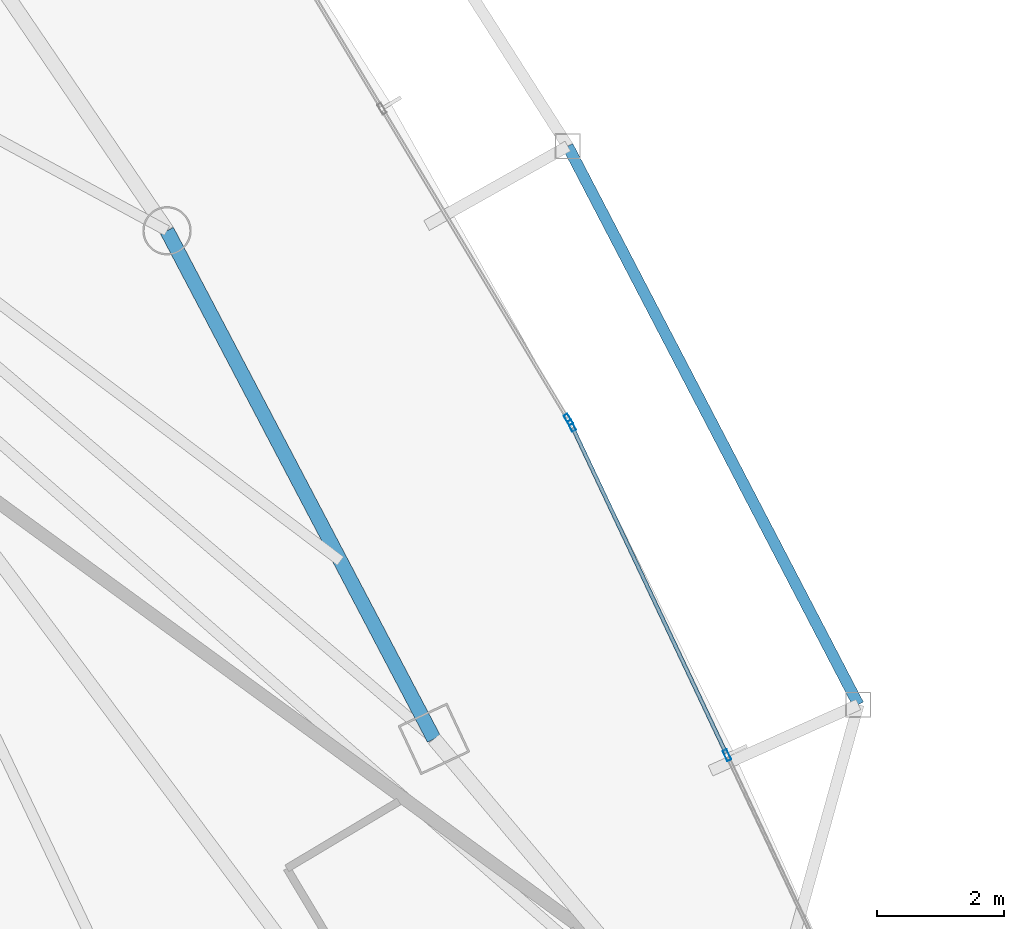
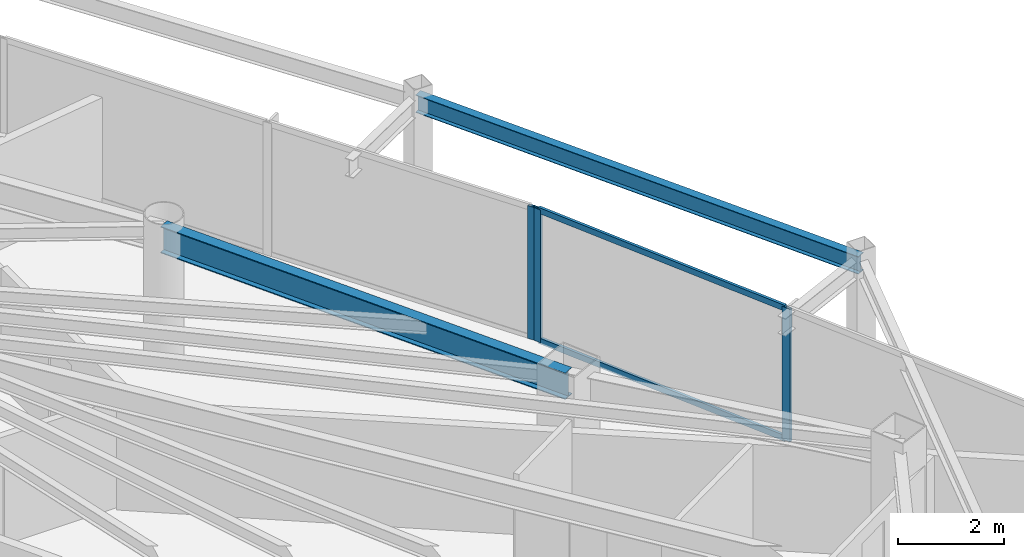
# One storey, part 16 of 33: 5 members, 2 beams, 2 elements without a shape of their own.
"""IFC4 building model written with IfcOpenShell, lengths in metres."""

from ifc_helpers import new_model, si_unit, direction, frame, origin, origin_2d, place, context, subcontext, project, spatial, hollow_rectangle, i_section, extrude, material, layer, layer_set, material_profile, profile_set, type_object, element, aggregate, save


model = new_model("IFC4")

# Units and contexts
model_context = context("Model", 3, precision=1e-05, world=origin(), true_north=direction((0.0, 1.0)))
body_context = subcontext(model_context, "Body", "Model", "MODEL_VIEW")
ifc_project = project(units=[si_unit("LENGTHUNIT", "METRE"), si_unit("AREAUNIT", "SQUARE_METRE"), si_unit("VOLUMEUNIT", "CUBIC_METRE"), si_unit("PLANEANGLEUNIT", "RADIAN"), si_unit("MASSUNIT", "GRAM", prefix="KILO")], contexts=[model_context])

# Site, building, storey
site_placement = place(None, origin())
site = spatial("IfcSite", under=ifc_project, at=site_placement, CompositionType="ELEMENT")
building_placement = place(site_placement, origin())
building = spatial("IfcBuilding", under=site, at=building_placement, Name="Orvanel Arch Residences", CompositionType="ELEMENT")
storey_placement = place(building_placement, frame((0.0, 0.0, 116.60009765625)))
storey = spatial("IfcBuildingStorey", under=building, at=storey_placement, Name="L32", CompositionType="ELEMENT", Elevation=116.60009765625)

# Curtain wall, members
ifc_material_1 = material(Name="Bronze-anodised aluminium AA6063-T6", Category="aluminium")
ifc_layer = layer(ifc_material_1, 0.179931640625)
ifc_layer_set = layer_set([ifc_layer], Name="Bronze-anodised aluminium AA6063-T6")
curtain_wall_type = type_object("IfcCurtainWallType", Name="CW3-MID-SYS", PredefinedType="NOTDEFINED", material=ifc_layer_set)
curtain_wall_1_placement = place(storey_placement, origin())
curtain_wall_1 = element("IfcCurtainWall", 1, at=curtain_wall_1_placement, inside=storey, type_object=curtain_wall_type, Name="L32 CW3-MID-SYS Unitised Curtain Wall", PredefinedType="NOTDEFINED")
ifc_material_profile_1 = material_profile(ifc_material_1, hollow_rectangle(XDim=0.070068359375, YDim=0.179931640625, WallThickness=0.00439453125, at=origin_2d()), Name="ALU180x70x4.5")
ifc_profile_set_1 = profile_set([ifc_material_profile_1], Name="Bronze-anodised aluminium AA6063-T6")
member_type_1 = type_object("IfcMemberType", Name="MUL-180x70", PredefinedType="MULLION", material=ifc_profile_set_1)
member_1_placement = place(storey_placement, frame((54.24609375, 19.385009765625, 0.0), z_axis=(0.0, 0.0, 1.0), x_axis=(-0.904551426474, -0.426364535184, 0.0)))
member_1 = element("IfcMember", 2, at=member_1_placement, type_object=member_type_1, Name="CW-S3 mullion 2", PredefinedType="MULLION", context=body_context, shape_type="SweptSolid", body=[
    extrude(hollow_rectangle(XDim=0.070068359375, YDim=0.179931640625, WallThickness=0.00439453125, at=origin_2d()), origin(), (0.0, 0.0, 1.0), 3.059814453125),
])
member_2_placement = place(storey_placement, frame((51.801025390625, 24.572265625, 0.0), z_axis=(0.0, 0.0, 1.0), x_axis=(-0.904551426474, -0.426364535184, 0.0)))
member_2 = element("IfcMember", 3, at=member_2_placement, type_object=member_type_1, Name="CW-S3 mullion 3", PredefinedType="MULLION", context=body_context, shape_type="SweptSolid", body=[
    extrude(hollow_rectangle(XDim=0.070068359375, YDim=0.179931640625, WallThickness=0.00439453125, at=origin_2d()), origin(), (0.0, 0.0, 1.0), 3.059814453125),
])

# Curtain wall, member
curtain_wall_2_placement = place(storey_placement, origin())
curtain_wall_2 = element("IfcCurtainWall", 4, at=curtain_wall_2_placement, inside=storey, type_object=curtain_wall_type, Name="L32 CW3-MID-SYS Unitised Curtain Wall", PredefinedType="NOTDEFINED")
member_3_placement = place(storey_placement, frame((51.7490234375, 24.6689453125, 0.0), z_axis=(0.0, 0.0, 1.0), x_axis=(-0.857515978834, -0.514457331608, 0.0)))
member_3 = element("IfcMember", 5, at=member_3_placement, type_object=member_type_1, Name="CW-S3 mullion 1", PredefinedType="MULLION", context=body_context, shape_type="SweptSolid", body=[
    extrude(hollow_rectangle(XDim=0.070068359375, YDim=0.179931640625, WallThickness=0.00439453125, at=origin_2d()), origin(), (0.0, 0.0, 1.0), 3.059814453125),
])
aggregate(curtain_wall_2, [member_3])

# Beams
ifc_material_2 = material(Name="Structural steel AS/NZS 3679.1 Grade 300 (300 MPa)", Category="steel")
ifc_material_profile_2 = material_profile(ifc_material_2, i_section(OverallWidth=0.177978515625, OverallDepth=0.406005859375, WebThickness=0.0078125, FlangeThickness=0.0126953125, at=origin_2d()), Name="410UB59.7")
ifc_profile_set_2 = profile_set([ifc_material_profile_2], Name="Structural steel AS/NZS 3679.1 Grade 300 (300 MPa)")
beam_type_1 = type_object("IfcBeamType", Name="OB-410UB-EXT", PredefinedType="SPANDREL", material=ifc_profile_set_2)
beam_1_placement = place(storey_placement, frame((56.31494140625, 20.181884765625, 2.85693359375), z_axis=(-0.461640485936, 0.887067112311, 0.0), x_axis=(-0.887067112311, -0.461640485936, 0.0)))
element("IfcBeam", 6, at=beam_1_placement, inside=storey, type_object=beam_type_1, Name="L32 Outer Perimeter Floor Ring Beam 09", PredefinedType="SPANDREL", context=body_context, shape_type="SweptSolid", body=[
    extrude(i_section(OverallWidth=0.177978515625, OverallDepth=0.406005859375, WebThickness=0.0078125, FlangeThickness=0.0126953125, at=origin_2d()), origin(), (0.0, 0.0, 1.0), 9.91015625),
])
ifc_material_profile_3 = material_profile(ifc_material_2, i_section(OverallWidth=0.22900390625, OverallDepth=0.612060546875, WebThickness=0.011962890625, FlangeThickness=0.01953125, at=origin_2d()), Name="610UB125")
ifc_profile_set_3 = profile_set([ifc_material_profile_3], Name="Structural steel AS/NZS 3679.1 Grade 300 (300 MPa)")
beam_type_2 = type_object("IfcBeamType", Name="SP-610UB", PredefinedType="SPANDREL", material=ifc_profile_set_3)
beam_2_placement = place(storey_placement, frame((49.633056640625, 19.64208984375, 2.75390625), z_axis=(-0.465064762793, 0.885276660942, 0.0), x_axis=(-0.885276660942, -0.465064762793, 0.0)))
element("IfcBeam", 7, at=beam_2_placement, inside=storey, type_object=beam_type_2, Name="L32 Perimeter Spandrel Beam 11", PredefinedType="SPANDREL", context=body_context, shape_type="SweptSolid", body=[
    extrude(i_section(OverallWidth=0.22900390625, OverallDepth=0.612060546875, WebThickness=0.011962890625, FlangeThickness=0.01953125, at=origin_2d()), origin(), (0.0, 0.0, 1.0), 9.03564453125),
])

# Member
ifc_material_profile_4 = material_profile(ifc_material_1, hollow_rectangle(XDim=0.06005859375, YDim=0.135009765625, WallThickness=0.00390625, at=origin_2d()), Name="ALU135x60x4")
ifc_profile_set_4 = profile_set([ifc_material_profile_4], Name="Bronze-anodised aluminium AA6063-T6")
member_type_2 = type_object("IfcMemberType", Name="TRN-135x60", PredefinedType="USERDEFINED", material=ifc_profile_set_4)
member_4_placement = place(storey_placement, frame((54.23095703125, 19.416748046875, 0.02978515625), z_axis=(-0.426336615454, 0.904564586043, 0.0), x_axis=(-0.904564586043, -0.426336615454, 0.0)))
member_4 = element("IfcMember", 8, at=member_4_placement, type_object=member_type_2, Name="CW-S3 transom 2.1", ObjectType="TRANSOM", PredefinedType="USERDEFINED", context=body_context, shape_type="SweptSolid", body=[
    extrude(hollow_rectangle(XDim=0.06005859375, YDim=0.135009765625, WallThickness=0.00390625, at=origin_2d()), origin(), (0.0, 0.0, 1.0), 5.66455078125),
])

member_5_placement = place(storey_placement, frame((54.23095703125, 19.416748046875, 3.02978515625), z_axis=(-0.426336615454, 0.904564586043, 0.0), x_axis=(-0.904564586043, -0.426336615454, 0.0)))
member_5 = element("IfcMember", 9, at=member_5_placement, type_object=member_type_2, Name="CW-S3 transom 2.2", ObjectType="TRANSOM", PredefinedType="USERDEFINED", context=body_context, shape_type="SweptSolid", body=[
    extrude(hollow_rectangle(XDim=0.06005859375, YDim=0.135009765625, WallThickness=0.00390625, at=origin_2d()), origin(), (0.0, 0.0, 1.0), 5.66455078125),
])

aggregate(curtain_wall_1, [member_1, member_2, member_4, member_5])

save(model, "model.ifc")
